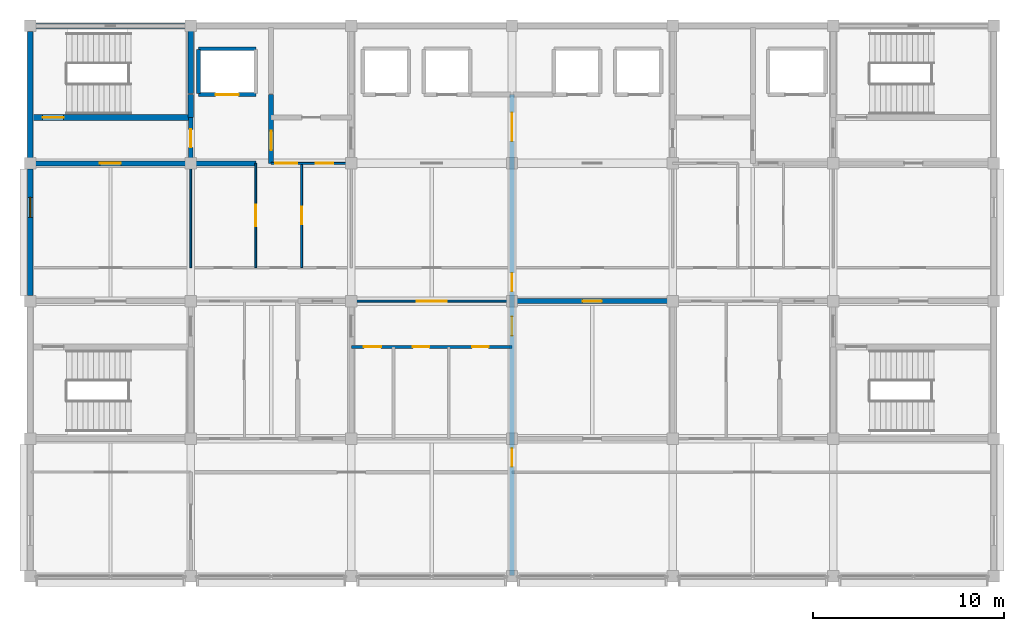
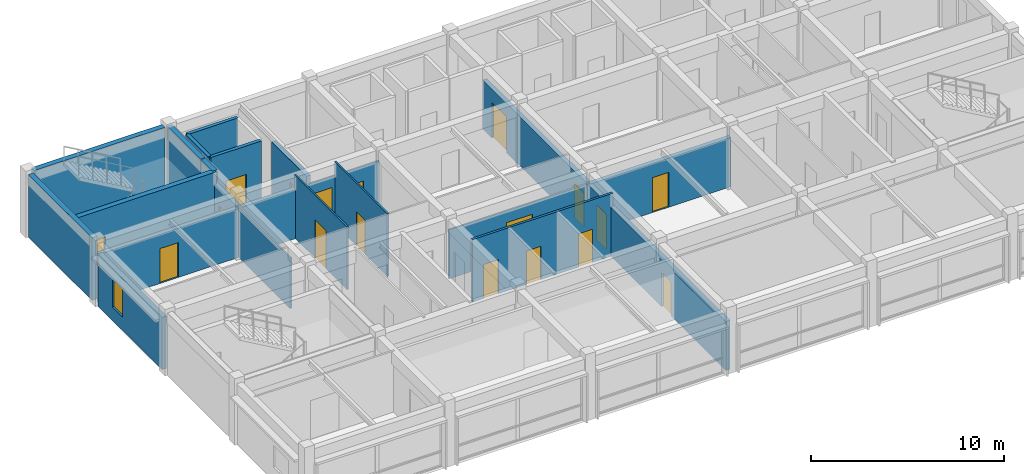
# One storey, part 9 of 13: 20 walls, 18 doors, 1 window, 19 openings.
"""IFC4 building model written with IfcOpenShell, lengths in metres."""

from ifc_helpers import new_model, si_unit, direction, frame, frame_2d, origin, place, context, subcontext, project, spatial, rectangle, extrude, material, layer, layer_set, type_object, element, fill, save


model = new_model("IFC4")

# Units and contexts
model_context = context("Model", 3, precision=1e-05, world=origin(), true_north=direction((0.0, 1.0)))
body_context = subcontext(model_context, "Body", "Model", "MODEL_VIEW")
ifc_project = project(units=[si_unit("LENGTHUNIT", "METRE"), si_unit("AREAUNIT", "SQUARE_METRE"), si_unit("VOLUMEUNIT", "CUBIC_METRE"), si_unit("PLANEANGLEUNIT", "RADIAN"), si_unit("MASSUNIT", "GRAM", prefix="KILO")], contexts=[model_context])

# Site, building, storey
site_placement = place(None, origin())
site = spatial("IfcSite", under=ifc_project, at=site_placement, CompositionType="ELEMENT")
building_placement = place(site_placement, origin())
building = spatial("IfcBuilding", under=site, at=building_placement, Name="Chengyuan Square Courthouse", CompositionType="ELEMENT")
storey_placement = place(building_placement, frame((0.0, 0.0, 64.5)))
storey = spatial("IfcBuildingStorey", under=building, at=storey_placement, Name="L15", CompositionType="ELEMENT", Elevation=64.5)

# Wall, opening, window
ifc_material_1 = material(Name="Concrete C40", Category="concrete")
ifc_layer_1 = layer(ifc_material_1, 0.280029296875)
ifc_layer_set_1 = layer_set([ifc_layer_1], Name="Concrete C40")
wall_type_1 = type_object("IfcWallType", Name="WL-EW4", PredefinedType="STANDARD", material=ifc_layer_set_1)
wall_1_placement = place(storey_placement, frame((58.800048828125, 93.89501953125, 0.0), z_axis=(0.0, 0.0, 1.0), x_axis=(0.0, 1.0, 0.0)))
wall_1 = element("IfcWall", 1, at=wall_1_placement, inside=storey, type_object=wall_type_1, Name="Exterior Wall WL-L15-E524", PredefinedType="STANDARD", context=body_context, shape_type="SweptSolid", body=[
    extrude(rectangle(XDim=6.60986328125, YDim=0.280029296875, at=frame_2d((3.304931640625, 0.0))), origin(), (0.0, 0.0, 1.0), 3.300048828125),
])
opening_1_placement = place(wall_1_placement, frame((4.080078125, 0.0, 0.85009765625)))
opening_1 = element("IfcOpeningElement", 2, at=opening_1_placement, cuts=wall_1, Name="Opening WN-243", PredefinedType="OPENING", context=body_context, shape_type="SweptSolid", body=[
    extrude(rectangle(XDim=1.050048828125, YDim=1.739990234375, at=frame_2d((0.52490234375, 0.8701171875))), frame((0.0, 0.152099609375, 0.0), z_axis=(0.0, -1.0, 0.0), x_axis=(1.0, 0.0, 0.0)), (0.0, 0.0, 1.0), 0.303955078125),
])
ifc_material_2 = material(Name="Thermally Broken Aluminium Triple Low-E Window", Category="aluminium")
window_type = type_object("IfcWindowType", Name="WT-10", PartitioningType="SINGLE_PANEL", PredefinedType="WINDOW", material=ifc_material_2)
window_placement = place(opening_1_placement, origin())
window = element("IfcWindow", 3, at=window_placement, inside=storey, type_object=window_type, Name="Facade Window WN-243", OverallHeight=1.739990234375, OverallWidth=1.050048828125, PartitioningType="SINGLE_PANEL", PredefinedType="WINDOW", context=body_context, shape_type="SweptSolid", body=[
    extrude(rectangle(XDim=1.050048828125, YDim=1.739990234375, at=frame_2d((0.52490234375, 0.8701171875))), frame((0.0, 0.030029296875, 0.0), z_axis=(0.0, -1.0, 0.0), x_axis=(1.0, 0.0, 0.0)), (0.0, 0.0, 1.0), 0.06005859375),
])
fill(opening_1, window)

# Wall, opening, door
ifc_layer_2 = layer(ifc_material_1, 0.25)
ifc_layer_set_2 = layer_set([ifc_layer_2], Name="Concrete C40")
wall_type_2 = type_object("IfcWallType", Name="WL-FW1", PredefinedType="STANDARD", material=ifc_layer_set_2)
wall_2_placement = place(storey_placement, frame((84.0, 93.60009765625, 0.0), z_axis=(0.0, 0.0, 1.0), x_axis=(1.0, 0.0, 0.0)))
wall_2 = element("IfcWall", 4, at=wall_2_placement, inside=storey, type_object=wall_type_2, Name="Interior Wall WL-L15-I4010", PredefinedType="STANDARD", context=body_context, shape_type="SweptSolid", body=[
    extrude(rectangle(XDim=8.39990234375, YDim=0.25, at=frame_2d((4.199951171875, 0.0))), origin(), (0.0, 0.0, 1.0), 3.10009765625),
])
opening_2_placement = place(wall_2_placement, frame((3.699951171875, 0.0, 0.0)))
opening_2 = element("IfcOpeningElement", 5, at=opening_2_placement, cuts=wall_2, Name="Opening DR-3346", PredefinedType="OPENING", context=body_context, shape_type="SweptSolid", body=[
    extrude(rectangle(XDim=1.0, YDim=2.199951171875, at=frame_2d((0.5, 1.10009765625))), frame((0.0, 0.136962890625, 0.0), z_axis=(0.0, -1.0, 0.0), x_axis=(1.0, 0.0, 0.0)), (0.0, 0.0, 1.0), 0.27392578125),
])
ifc_material_3 = material(Name="Steel Q235B Fire Door", Category="steel")
door_type_1 = type_object("IfcDoorType", Name="DT-11", OperationType="NOTDEFINED", PredefinedType="DOOR", material=ifc_material_3)
door_1_placement = place(opening_2_placement, origin())
door_1 = element("IfcDoor", 6, at=door_1_placement, inside=storey, type_object=door_type_1, Name="Interior Door DR-3346", OperationType="SINGLE_SWING_LEFT", OverallHeight=2.199951171875, OverallWidth=1.0, PredefinedType="DOOR", context=body_context, shape_type="SweptSolid", body=[
    extrude(rectangle(XDim=1.0, YDim=2.199951171875, at=frame_2d((0.5, 1.10009765625))), frame((0.0, 0.02490234375, 0.0), z_axis=(0.0, -1.0, 0.0), x_axis=(1.0, 0.0, 0.0)), (0.0, 0.0, 1.0), 0.050048828125),
])
fill(opening_2, door_1)

wall_3_placement = place(storey_placement, frame((58.840087890625, 100.800048828125, 0.0), z_axis=(0.0, 0.0, 1.0), x_axis=(1.0, 0.0, 0.0)))
wall_3 = element("IfcWall", 7, at=wall_3_placement, inside=storey, type_object=wall_type_2, Name="Interior Wall WL-L15-I4014", PredefinedType="STANDARD", context=body_context, shape_type="SweptSolid", body=[
    extrude(rectangle(XDim=11.760009765625, YDim=0.25, at=frame_2d((5.8798828125, 0.0))), origin(), (0.0, 0.0, 1.0), 3.10009765625),
])
opening_3_placement = place(wall_3_placement, frame((3.610107421875, 0.0, 0.0)))
opening_3 = element("IfcOpeningElement", 8, at=opening_3_placement, cuts=wall_3, Name="Opening DR-3306", PredefinedType="OPENING", context=body_context, shape_type="SweptSolid", body=[
    extrude(rectangle(XDim=1.10009765625, YDim=2.199951171875, at=frame_2d((0.550048828125, 1.10009765625))), frame((0.0, 0.136962890625, 0.0), z_axis=(0.0, -1.0, 0.0), x_axis=(1.0, 0.0, 0.0)), (0.0, 0.0, 1.0), 0.27392578125),
])
door_type_2 = type_object("IfcDoorType", Name="DT-10", OperationType="NOTDEFINED", PredefinedType="DOOR", material=ifc_material_3)
door_2_placement = place(opening_3_placement, origin())
door_2 = element("IfcDoor", 9, at=door_2_placement, inside=storey, type_object=door_type_2, Name="Interior Door DR-3306", OperationType="SINGLE_SWING_LEFT", OverallHeight=2.199951171875, OverallWidth=1.10009765625, PredefinedType="DOOR", context=body_context, shape_type="SweptSolid", body=[
    extrude(rectangle(XDim=1.10009765625, YDim=2.199951171875, at=frame_2d((0.550048828125, 1.10009765625))), frame((0.0, 0.02490234375, 0.0), z_axis=(0.0, -1.0, 0.0), x_axis=(1.0, 0.0, 0.0)), (0.0, 0.0, 1.0), 0.050048828125),
])
fill(opening_3, door_2)

wall_4_placement = place(storey_placement, frame((67.199951171875, 100.800048828125, 0.0), z_axis=(0.0, 0.0, 1.0), x_axis=(0.0, 1.0, 0.0)))
wall_4 = element("IfcWall", 10, at=wall_4_placement, inside=storey, type_object=wall_type_2, Name="Interior Wall WL-L15-I4041", PredefinedType="STANDARD", context=body_context, shape_type="SweptSolid", body=[
    extrude(rectangle(XDim=2.39990234375, YDim=0.25, at=frame_2d((1.199951171875, 0.0))), origin(), (0.0, 0.0, 1.0), 3.199951171875),
])
opening_4_placement = place(wall_4_placement, frame((0.8349609375, 0.0, 0.0)))
opening_4 = element("IfcOpeningElement", 11, at=opening_4_placement, cuts=wall_4, Name="Opening DR-3305", PredefinedType="OPENING", context=body_context, shape_type="SweptSolid", body=[
    extrude(rectangle(XDim=0.949951171875, YDim=2.14990234375, at=frame_2d((0.47509765625, 1.074951171875))), frame((0.0, 0.136962890625, 0.0), z_axis=(0.0, -1.0, 0.0), x_axis=(1.0, 0.0, 0.0)), (0.0, 0.0, 1.0), 0.27392578125),
])
door_type_3 = type_object("IfcDoorType", Name="DT-12", OperationType="NOTDEFINED", PredefinedType="DOOR", material=ifc_material_3)
door_3_placement = place(opening_4_placement, origin())
door_3 = element("IfcDoor", 12, at=door_3_placement, inside=storey, type_object=door_type_3, Name="Interior Door DR-3305", OperationType="SINGLE_SWING_RIGHT", OverallHeight=2.14990234375, OverallWidth=0.949951171875, PredefinedType="DOOR", context=body_context, shape_type="SweptSolid", body=[
    extrude(rectangle(XDim=0.949951171875, YDim=2.14990234375, at=frame_2d((0.47509765625, 1.074951171875))), frame((0.0, 0.02490234375, 0.0), z_axis=(0.0, -1.0, 0.0), x_axis=(1.0, 0.0, 0.0)), (0.0, 0.0, 1.0), 0.050048828125),
])
fill(opening_4, door_3)

wall_5_placement = place(storey_placement, frame((71.39990234375, 100.800048828125, 0.0), z_axis=(0.0, 0.0, 1.0), x_axis=(0.0, 1.0, 0.0)))
wall_5 = element("IfcWall", 13, at=wall_5_placement, inside=storey, type_object=wall_type_2, Name="Interior Wall WL-L15-I4048", PredefinedType="STANDARD", context=body_context, shape_type="SweptSolid", body=[
    extrude(rectangle(XDim=3.599853515625, YDim=0.25, at=frame_2d((1.7998046875, 0.0))), origin(), (0.0, 0.0, 1.0), 3.60009765625),
])
opening_5_placement = place(wall_5_placement, frame((0.699951171875, 0.0, 0.0)))
opening_5 = element("IfcOpeningElement", 14, at=opening_5_placement, cuts=wall_5, Name="Opening DR-3313", PredefinedType="OPENING", context=body_context, shape_type="SweptSolid", body=[
    extrude(rectangle(XDim=1.0, YDim=2.199951171875, at=frame_2d((0.5, 1.10009765625))), frame((0.0, 0.136962890625, 0.0), z_axis=(0.0, -1.0, 0.0), x_axis=(1.0, 0.0, 0.0)), (0.0, 0.0, 1.0), 0.27392578125),
])
door_4_placement = place(opening_5_placement, origin())
door_4 = element("IfcDoor", 15, at=door_4_placement, inside=storey, type_object=door_type_1, Name="Interior Door DR-3313", OperationType="SINGLE_SWING_RIGHT", OverallHeight=2.199951171875, OverallWidth=1.0, PredefinedType="DOOR", context=body_context, shape_type="SweptSolid", body=[
    extrude(rectangle(XDim=1.0, YDim=2.199951171875, at=frame_2d((0.5, 1.10009765625))), frame((0.0, 0.02490234375, 0.0), z_axis=(0.0, -1.0, 0.0), x_axis=(1.0, 0.0, 0.0)), (0.0, 0.0, 1.0), 0.050048828125),
])
fill(opening_5, door_4)

# Wall, openings, doors
wall_6_placement = place(storey_placement, frame((84.0, 79.239990234375, 0.0), z_axis=(0.0, 0.0, 1.0), x_axis=(0.0, 1.0, 0.0)))
wall_6 = element("IfcWall", 16, at=wall_6_placement, inside=storey, type_object=wall_type_2, Name="Interior Wall WL-L15-I4062", PredefinedType="STANDARD", context=body_context, shape_type="SweptSolid", body=[
    extrude(rectangle(XDim=25.159912109375, YDim=0.25, at=frame_2d((12.580078125, 0.0))), origin(), (0.0, 0.0, 1.0), 3.10009765625),
])
opening_6_placement = place(wall_6_placement, frame((22.719970703125, 0.0, 0.0)))
opening_6 = element("IfcOpeningElement", 17, at=opening_6_placement, cuts=wall_6, Name="Opening DR-3323", PredefinedType="OPENING", context=body_context, shape_type="SweptSolid", body=[
    extrude(rectangle(XDim=1.5, YDim=2.25, at=frame_2d((0.75, 1.125))), frame((0.0, 0.136962890625, 0.0), z_axis=(0.0, -1.0, 0.0), x_axis=(1.0, 0.0, 0.0)), (0.0, 0.0, 1.0), 0.27392578125),
])
opening_7_placement = place(wall_6_placement, frame((12.550048828125, 0.0, 0.0)))
opening_7 = element("IfcOpeningElement", 18, at=opening_7_placement, cuts=wall_6, Name="Opening DR-3331", PredefinedType="OPENING", context=body_context, shape_type="SweptSolid", body=[
    extrude(rectangle(XDim=1.0, YDim=2.199951171875, at=frame_2d((0.5, 1.10009765625))), frame((0.0, 0.136962890625, 0.0), z_axis=(0.0, -1.0, 0.0), x_axis=(1.0, 0.0, 0.0)), (0.0, 0.0, 1.0), 0.27392578125),
])
opening_8_placement = place(wall_6_placement, frame((14.8701171875, 0.0, 0.0)))
opening_8 = element("IfcOpeningElement", 19, at=opening_8_placement, cuts=wall_6, Name="Opening DR-3332", PredefinedType="OPENING", context=body_context, shape_type="SweptSolid", body=[
    extrude(rectangle(XDim=0.949951171875, YDim=2.14990234375, at=frame_2d((0.47509765625, 1.074951171875))), frame((0.0, 0.136962890625, 0.0), z_axis=(0.0, -1.0, 0.0), x_axis=(1.0, 0.0, 0.0)), (0.0, 0.0, 1.0), 0.27392578125),
])
opening_9_placement = place(wall_6_placement, frame((5.699951171875, 0.0, 0.0)))
opening_9 = element("IfcOpeningElement", 20, at=opening_9_placement, cuts=wall_6, Name="Opening DR-3365", PredefinedType="OPENING", context=body_context, shape_type="SweptSolid", body=[
    extrude(rectangle(XDim=0.949951171875, YDim=2.14990234375, at=frame_2d((0.47509765625, 1.074951171875))), frame((0.0, 0.136962890625, 0.0), z_axis=(0.0, -1.0, 0.0), x_axis=(1.0, 0.0, 0.0)), (0.0, 0.0, 1.0), 0.27392578125),
])
door_5_placement = place(opening_7_placement, origin())
door_5 = element("IfcDoor", 21, at=door_5_placement, inside=storey, type_object=door_type_1, Name="Interior Door DR-3331", OperationType="SINGLE_SWING_RIGHT", OverallHeight=2.199951171875, OverallWidth=1.0, PredefinedType="DOOR", context=body_context, shape_type="SweptSolid", body=[
    extrude(rectangle(XDim=1.0, YDim=2.199951171875, at=frame_2d((0.5, 1.10009765625))), frame((0.0, 0.02490234375, 0.0), z_axis=(0.0, -1.0, 0.0), x_axis=(1.0, 0.0, 0.0)), (0.0, 0.0, 1.0), 0.050048828125),
])
fill(opening_7, door_5)
door_6_placement = place(opening_8_placement, origin())
door_6 = element("IfcDoor", 22, at=door_6_placement, inside=storey, type_object=door_type_3, Name="Interior Door DR-3332", OperationType="SINGLE_SWING_LEFT", OverallHeight=2.14990234375, OverallWidth=0.949951171875, PredefinedType="DOOR", context=body_context, shape_type="SweptSolid", body=[
    extrude(rectangle(XDim=0.949951171875, YDim=2.14990234375, at=frame_2d((0.47509765625, 1.074951171875))), frame((0.0, 0.02490234375, 0.0), z_axis=(0.0, -1.0, 0.0), x_axis=(1.0, 0.0, 0.0)), (0.0, 0.0, 1.0), 0.050048828125),
])
fill(opening_8, door_6)
door_7_placement = place(opening_9_placement, origin())
door_7 = element("IfcDoor", 23, at=door_7_placement, inside=storey, type_object=door_type_3, Name="Interior Door DR-3365", OperationType="SINGLE_SWING_RIGHT", OverallHeight=2.14990234375, OverallWidth=0.949951171875, PredefinedType="DOOR", context=body_context, shape_type="SweptSolid", body=[
    extrude(rectangle(XDim=0.949951171875, YDim=2.14990234375, at=frame_2d((0.47509765625, 1.074951171875))), frame((0.0, 0.02490234375, 0.0), z_axis=(0.0, -1.0, 0.0), x_axis=(1.0, 0.0, 0.0)), (0.0, 0.0, 1.0), 0.050048828125),
])
fill(opening_9, door_7)
ifc_material_4 = material(Name="Steel Q235B Glazed Fire Door", Category="steel")
door_type_4 = type_object("IfcDoorType", Name="DT-19", OperationType="DOUBLE_DOOR_SINGLE_SWING", PredefinedType="DOOR", material=ifc_material_4)
door_8_placement = place(opening_6_placement, frame((1.5, 0.0, 0.0), z_axis=(0.0, 0.0, 1.0), x_axis=(-1.0, 0.0, 0.0)))
door_8 = element("IfcDoor", 24, at=door_8_placement, inside=storey, type_object=door_type_4, Name="Interior Door DR-3323", OperationType="DOUBLE_DOOR_SINGLE_SWING", OverallHeight=2.25, OverallWidth=1.5, PredefinedType="DOOR", context=body_context, shape_type="SweptSolid", body=[
    extrude(rectangle(XDim=1.5, YDim=2.25, at=frame_2d((0.75, 1.125))), frame((0.0, 0.02490234375, 0.0), z_axis=(0.0, -1.0, 0.0), x_axis=(1.0, 0.0, 0.0)), (0.0, 0.0, 1.0), 0.050048828125),
])
fill(opening_6, door_8)

ifc_material_5 = material(Name="Moisture-Resistant Masonry Wet-Room Partition", Category="masonry")
ifc_layer_3 = layer(ifc_material_5, 0.139892578125)
ifc_layer_set_3 = layer_set([ifc_layer_3], Name="Moisture-Resistant Masonry Wet-Room Partition")
wall_type_3 = type_object("IfcWallType", Name="WL-PT4", PredefinedType="STANDARD", material=ifc_layer_set_3)
wall_7_placement = place(storey_placement, frame((75.60009765625, 91.199951171875, 0.0), z_axis=(0.0, 0.0, 1.0), x_axis=(1.0, 0.0, 0.0)))
wall_7 = element("IfcWall", 25, at=wall_7_placement, inside=storey, type_object=wall_type_3, Name="Interior Wall WL-L15-I4004", PredefinedType="STANDARD", context=body_context, shape_type="SweptSolid", body=[
    extrude(rectangle(XDim=8.39990234375, YDim=0.139892578125, at=frame_2d((4.199951171875, 0.0))), origin(), (0.0, 0.0, 1.0), 3.949951171875),
])
opening_10_placement = place(wall_7_placement, frame((0.64990234375, 0.0, 0.0)))
opening_10 = element("IfcOpeningElement", 26, at=opening_10_placement, cuts=wall_7, Name="Opening DR-3326", PredefinedType="OPENING", context=body_context, shape_type="SweptSolid", body=[
    extrude(rectangle(XDim=0.89990234375, YDim=2.14990234375, at=frame_2d((0.449951171875, 1.074951171875))), frame((0.0, 0.08203125, 0.0), z_axis=(0.0, -1.0, 0.0), x_axis=(1.0, 0.0, 0.0)), (0.0, 0.0, 1.0), 0.163818359375),
])
opening_11_placement = place(wall_7_placement, frame((3.219970703125, 0.0, 0.0)))
opening_11 = element("IfcOpeningElement", 27, at=opening_11_placement, cuts=wall_7, Name="Opening DR-3327", PredefinedType="OPENING", context=body_context, shape_type="SweptSolid", body=[
    extrude(rectangle(XDim=0.860107421875, YDim=2.10009765625, at=frame_2d((0.43017578125, 1.050048828125))), frame((0.0, 0.08203125, 0.0), z_axis=(0.0, -1.0, 0.0), x_axis=(1.0, 0.0, 0.0)), (0.0, 0.0, 1.0), 0.163818359375),
])
opening_12_placement = place(wall_7_placement, frame((6.320068359375, 0.0, 0.0)))
opening_12 = element("IfcOpeningElement", 28, at=opening_12_placement, cuts=wall_7, Name="Opening DR-3328", PredefinedType="OPENING", context=body_context, shape_type="SweptSolid", body=[
    extrude(rectangle(XDim=0.860107421875, YDim=2.10009765625, at=frame_2d((0.43017578125, 1.050048828125))), frame((0.0, 0.08203125, 0.0), z_axis=(0.0, -1.0, 0.0), x_axis=(1.0, 0.0, 0.0)), (0.0, 0.0, 1.0), 0.163818359375),
])
ifc_material_6 = material(Name="Acoustic Solid-Core Timber Door", Category="wood")
door_type_5 = type_object("IfcDoorType", Name="DT-27", OperationType="NOTDEFINED", PredefinedType="DOOR", material=ifc_material_6)
door_9_placement = place(opening_10_placement, origin())
door_9 = element("IfcDoor", 29, at=door_9_placement, inside=storey, type_object=door_type_5, Name="Interior Door DR-3326", OperationType="SINGLE_SWING_RIGHT", OverallHeight=2.14990234375, OverallWidth=0.89990234375, PredefinedType="DOOR", context=body_context, shape_type="SweptSolid", body=[
    extrude(rectangle(XDim=0.89990234375, YDim=2.14990234375, at=frame_2d((0.449951171875, 1.074951171875))), frame((0.0, 0.02490234375, 0.0), z_axis=(0.0, -1.0, 0.0), x_axis=(1.0, 0.0, 0.0)), (0.0, 0.0, 1.0), 0.050048828125),
])
fill(opening_10, door_9)
door_type_6 = type_object("IfcDoorType", Name="DT-28", OperationType="NOTDEFINED", PredefinedType="DOOR", material=ifc_material_6)
door_10_placement = place(opening_11_placement, origin())
door_10 = element("IfcDoor", 30, at=door_10_placement, inside=storey, type_object=door_type_6, Name="Interior Door DR-3327", OperationType="SINGLE_SWING_LEFT", OverallHeight=2.10009765625, OverallWidth=0.860107421875, PredefinedType="DOOR", context=body_context, shape_type="SweptSolid", body=[
    extrude(rectangle(XDim=0.860107421875, YDim=2.10009765625, at=frame_2d((0.43017578125, 1.050048828125))), frame((0.0, 0.02490234375, 0.0), z_axis=(0.0, -1.0, 0.0), x_axis=(1.0, 0.0, 0.0)), (0.0, 0.0, 1.0), 0.050048828125),
])
fill(opening_11, door_10)
door_11_placement = place(opening_12_placement, origin())
door_11 = element("IfcDoor", 31, at=door_11_placement, inside=storey, type_object=door_type_6, Name="Interior Door DR-3328", OperationType="SINGLE_SWING_RIGHT", OverallHeight=2.10009765625, OverallWidth=0.860107421875, PredefinedType="DOOR", context=body_context, shape_type="SweptSolid", body=[
    extrude(rectangle(XDim=0.860107421875, YDim=2.10009765625, at=frame_2d((0.43017578125, 1.050048828125))), frame((0.0, 0.02490234375, 0.0), z_axis=(0.0, -1.0, 0.0), x_axis=(1.0, 0.0, 0.0)), (0.0, 0.0, 1.0), 0.050048828125),
])
fill(opening_12, door_11)

# Wall, opening, door
ifc_material_7 = material(Name="Gypsum Plasterboard Acoustic Stud Partition")
ifc_layer_4 = layer(ifc_material_7, 0.10009765625)
ifc_layer_set_4 = layer_set([ifc_layer_4], Name="Gypsum Plasterboard Acoustic Stud Partition")
wall_type_4 = type_object("IfcWallType", Name="WL-PT6", PredefinedType="STANDARD", material=ifc_layer_set_4)
wall_8_placement = place(storey_placement, frame((75.60009765625, 93.60009765625, 0.0), z_axis=(0.0, 0.0, 1.0), x_axis=(1.0, 0.0, 0.0)))
wall_8 = element("IfcWall", 32, at=wall_8_placement, inside=storey, type_object=wall_type_4, Name="Interior Wall WL-L15-I4009", PredefinedType="STANDARD", context=body_context, shape_type="SweptSolid", body=[
    extrude(rectangle(XDim=8.39990234375, YDim=0.10009765625, at=frame_2d((4.199951171875, 0.0))), origin(), (0.0, 0.0, 1.0), 3.10009765625),
])
opening_13_placement = place(wall_8_placement, frame((3.425048828125, 0.0, 0.0)))
opening_13 = element("IfcOpeningElement", 33, at=opening_13_placement, cuts=wall_8, Name="Opening DR-3329", PredefinedType="OPENING", context=body_context, shape_type="SweptSolid", body=[
    extrude(rectangle(XDim=1.550048828125, YDim=2.35009765625, at=frame_2d((0.77490234375, 1.175048828125))), frame((0.0, 0.06201171875, 0.0), z_axis=(0.0, -1.0, 0.0), x_axis=(1.0, 0.0, 0.0)), (0.0, 0.0, 1.0), 0.1240234375),
])
ifc_material_8 = material(Name="Acoustic Larch Veneer Double Door")
door_type_7 = type_object("IfcDoorType", Name="DT-23", OperationType="DOUBLE_DOOR_SINGLE_SWING", PredefinedType="DOOR", material=ifc_material_8)
door_12_placement = place(opening_13_placement, frame((1.550048828125, 0.0, 0.0), z_axis=(0.0, 0.0, 1.0), x_axis=(-1.0, 0.0, 0.0)))
door_12 = element("IfcDoor", 34, at=door_12_placement, inside=storey, type_object=door_type_7, Name="Interior Door DR-3329", OperationType="DOUBLE_DOOR_SINGLE_SWING", OverallHeight=2.35009765625, OverallWidth=1.550048828125, PredefinedType="DOOR", context=body_context, shape_type="SweptSolid", body=[
    extrude(rectangle(XDim=1.550048828125, YDim=2.35009765625, at=frame_2d((0.77490234375, 1.175048828125))), frame((0.0, 0.02490234375, 0.0), z_axis=(0.0, -1.0, 0.0), x_axis=(1.0, 0.0, 0.0)), (0.0, 0.0, 1.0), 0.050048828125),
])
fill(opening_13, door_12)

# Wall, openings, doors
wall_9_placement = place(storey_placement, frame((71.39990234375, 100.800048828125, 0.0), z_axis=(0.0, 0.0, 1.0), x_axis=(1.0, 0.0, 0.0)))
wall_9 = element("IfcWall", 35, at=wall_9_placement, inside=storey, type_object=wall_type_4, Name="Interior Wall WL-L15-I4015", PredefinedType="STANDARD", context=body_context, shape_type="SweptSolid", body=[
    extrude(rectangle(XDim=4.2001953125, YDim=0.10009765625, at=frame_2d((2.10009765625, 0.0))), origin(), (0.0, 0.0, 1.0), 3.10009765625),
])
opening_14_placement = place(wall_9_placement, frame((0.22998046875, 0.0, 0.0)))
opening_14 = element("IfcOpeningElement", 36, at=opening_14_placement, cuts=wall_9, Name="Opening DR-3316", PredefinedType="OPENING", context=body_context, shape_type="SweptSolid", body=[
    extrude(rectangle(XDim=1.139892578125, YDim=2.39990234375, at=frame_2d((0.56982421875, 1.199951171875))), frame((0.0, 0.06201171875, 0.0), z_axis=(0.0, -1.0, 0.0), x_axis=(1.0, 0.0, 0.0)), (0.0, 0.0, 1.0), 0.1240234375),
])
opening_15_placement = place(wall_9_placement, frame((2.340087890625, 0.0, 0.0)))
opening_15 = element("IfcOpeningElement", 37, at=opening_15_placement, cuts=wall_9, Name="Opening DR-3317", PredefinedType="OPENING", context=body_context, shape_type="SweptSolid", body=[
    extrude(rectangle(XDim=0.89990234375, YDim=2.14990234375, at=frame_2d((0.449951171875, 1.074951171875))), frame((0.0, 0.06201171875, 0.0), z_axis=(0.0, -1.0, 0.0), x_axis=(1.0, 0.0, 0.0)), (0.0, 0.0, 1.0), 0.1240234375),
])
door_13_placement = place(opening_15_placement, origin())
door_13 = element("IfcDoor", 38, at=door_13_placement, inside=storey, type_object=door_type_5, Name="Interior Door DR-3317", OperationType="SINGLE_SWING_RIGHT", OverallHeight=2.14990234375, OverallWidth=0.89990234375, PredefinedType="DOOR", context=body_context, shape_type="SweptSolid", body=[
    extrude(rectangle(XDim=0.89990234375, YDim=2.14990234375, at=frame_2d((0.449951171875, 1.074951171875))), frame((0.0, 0.02490234375, 0.0), z_axis=(0.0, -1.0, 0.0), x_axis=(1.0, 0.0, 0.0)), (0.0, 0.0, 1.0), 0.050048828125),
])
fill(opening_15, door_13)
door_type_8 = type_object("IfcDoorType", Name="DT-43", OperationType="NOTDEFINED", PredefinedType="DOOR", material=ifc_material_6)
door_14_placement = place(opening_14_placement, origin())
door_14 = element("IfcDoor", 39, at=door_14_placement, inside=storey, type_object=door_type_8, Name="Interior Door DR-3316", OperationType="SINGLE_SWING_LEFT", OverallHeight=2.39990234375, OverallWidth=1.139892578125, PredefinedType="DOOR", context=body_context, shape_type="SweptSolid", body=[
    extrude(rectangle(XDim=1.139892578125, YDim=2.39990234375, at=frame_2d((0.56982421875, 1.199951171875))), frame((0.0, 0.02490234375, 0.0), z_axis=(0.0, -1.0, 0.0), x_axis=(1.0, 0.0, 0.0)), (0.0, 0.0, 1.0), 0.050048828125),
])
fill(opening_14, door_14)

# Wall
wall_10_placement = place(storey_placement, frame((67.199951171875, 95.35009765625, 0.0), z_axis=(0.0, 0.0, 1.0), x_axis=(0.0, 1.0, 0.0)))
element("IfcWall", 40, at=wall_10_placement, inside=storey, type_object=wall_type_4, Name="Interior Wall WL-L15-I4040", PredefinedType="STANDARD", context=body_context, shape_type="SweptSolid", body=[
    extrude(rectangle(XDim=5.449951171875, YDim=0.10009765625, at=frame_2d((2.72509765625, 0.0))), origin(), (0.0, 0.0, 1.0), 3.199951171875),
])

# Wall, opening, door
wall_11_placement = place(storey_placement, frame((70.60009765625, 95.35009765625, 0.0), z_axis=(0.0, 0.0, 1.0), x_axis=(0.0, 1.0, 0.0)))
wall_11 = element("IfcWall", 41, at=wall_11_placement, inside=storey, type_object=wall_type_4, Name="Interior Wall WL-L15-I4046", PredefinedType="STANDARD", context=body_context, shape_type="SweptSolid", body=[
    extrude(rectangle(XDim=5.449951171875, YDim=0.10009765625, at=frame_2d((2.72509765625, 0.0))), origin(), (0.0, 0.0, 1.0), 3.949951171875),
])
opening_16_placement = place(wall_11_placement, frame((2.155029296875, 0.0, 0.0)))
opening_16 = element("IfcOpeningElement", 42, at=opening_16_placement, cuts=wall_11, Name="Opening DR-3350", PredefinedType="OPENING", context=body_context, shape_type="SweptSolid", body=[
    extrude(rectangle(XDim=1.139892578125, YDim=2.39990234375, at=frame_2d((0.56982421875, 1.199951171875))), frame((0.0, 0.06201171875, 0.0), z_axis=(0.0, -1.0, 0.0), x_axis=(1.0, 0.0, 0.0)), (0.0, 0.0, 1.0), 0.1240234375),
])
door_15_placement = place(opening_16_placement, origin())
door_15 = element("IfcDoor", 43, at=door_15_placement, inside=storey, type_object=door_type_8, Name="Interior Door DR-3350", OperationType="SINGLE_SWING_LEFT", OverallHeight=2.39990234375, OverallWidth=1.139892578125, PredefinedType="DOOR", context=body_context, shape_type="SweptSolid", body=[
    extrude(rectangle(XDim=1.139892578125, YDim=2.39990234375, at=frame_2d((0.56982421875, 1.199951171875))), frame((0.0, 0.02490234375, 0.0), z_axis=(0.0, -1.0, 0.0), x_axis=(1.0, 0.0, 0.0)), (0.0, 0.0, 1.0), 0.050048828125),
])
fill(opening_16, door_15)

wall_12_placement = place(storey_placement, frame((73.0, 95.35009765625, 0.0), z_axis=(0.0, 0.0, 1.0), x_axis=(0.0, 1.0, 0.0)))
wall_12 = element("IfcWall", 44, at=wall_12_placement, inside=storey, type_object=wall_type_4, Name="Interior Wall WL-L15-I4051", PredefinedType="STANDARD", context=body_context, shape_type="SweptSolid", body=[
    extrude(rectangle(XDim=5.449951171875, YDim=0.10009765625, at=frame_2d((2.72509765625, 0.0))), origin(), (0.0, 0.0, 1.0), 3.949951171875),
])
opening_17_placement = place(wall_12_placement, frame((2.27490234375, 0.0, 0.0)))
opening_17 = element("IfcOpeningElement", 45, at=opening_17_placement, cuts=wall_12, Name="Opening DR-3351", PredefinedType="OPENING", context=body_context, shape_type="SweptSolid", body=[
    extrude(rectangle(XDim=0.89990234375, YDim=2.14990234375, at=frame_2d((0.449951171875, 1.074951171875))), frame((0.0, 0.06201171875, 0.0), z_axis=(0.0, -1.0, 0.0), x_axis=(1.0, 0.0, 0.0)), (0.0, 0.0, 1.0), 0.1240234375),
])
door_16_placement = place(opening_17_placement, origin())
door_16 = element("IfcDoor", 46, at=door_16_placement, inside=storey, type_object=door_type_5, Name="Interior Door DR-3351", OperationType="SINGLE_SWING_RIGHT", OverallHeight=2.14990234375, OverallWidth=0.89990234375, PredefinedType="DOOR", context=body_context, shape_type="SweptSolid", body=[
    extrude(rectangle(XDim=0.89990234375, YDim=2.14990234375, at=frame_2d((0.449951171875, 1.074951171875))), frame((0.0, 0.02490234375, 0.0), z_axis=(0.0, -1.0, 0.0), x_axis=(1.0, 0.0, 0.0)), (0.0, 0.0, 1.0), 0.050048828125),
])
fill(opening_17, door_16)

ifc_material_9 = material(Name="Reinforced Masonry Shaft Enclosure", Category="masonry")
ifc_layer_5 = layer(ifc_material_9, 0.199951171875)
ifc_layer_set_5 = layer_set([ifc_layer_5], Name="Reinforced Masonry Shaft Enclosure")
wall_type_5 = type_object("IfcWallType", Name="WL-SH1", PredefinedType="STANDARD", material=ifc_layer_set_5)
wall_13_placement = place(storey_placement, frame((67.60009765625, 104.39990234375, 0.0), z_axis=(0.0, 0.0, 1.0), x_axis=(1.0, 0.0, 0.0)))
wall_13 = element("IfcWall", 47, at=wall_13_placement, inside=storey, type_object=wall_type_5, Name="Interior Wall WL-L15-I4023", PredefinedType="STANDARD", context=body_context, shape_type="SweptSolid", body=[
    extrude(rectangle(XDim=3.0, YDim=0.199951171875, at=frame_2d((1.5, 0.0))), origin(), (0.0, 0.0, 1.0), 3.949951171875),
])
opening_18_placement = place(wall_13_placement, frame((0.89990234375, 0.0, 0.0)))
opening_18 = element("IfcOpeningElement", 48, at=opening_18_placement, cuts=wall_13, Name="Opening LD-205", PredefinedType="OPENING", context=body_context, shape_type="SweptSolid", body=[
    extrude(rectangle(XDim=1.199951171875, YDim=2.14990234375, at=frame_2d((0.60009765625, 1.074951171875))), frame((0.0, 0.112060546875, 0.0), z_axis=(0.0, -1.0, 0.0), x_axis=(1.0, 0.0, 0.0)), (0.0, 0.0, 1.0), 0.223876953125),
])
ifc_material_10 = material(Name="Stainless Steel S30408 Lift Landing Door", Category="steel")
door_type_9 = type_object("IfcDoorType", Name="DT-05", OperationType="DOUBLE_DOOR_SLIDING", PredefinedType="DOOR", material=ifc_material_10)
door_17_placement = place(opening_18_placement, origin())
door_17 = element("IfcDoor", 49, at=door_17_placement, inside=storey, type_object=door_type_9, Name="Lift Landing Door LF-F1 L15", OperationType="DOUBLE_DOOR_SLIDING", OverallHeight=2.14990234375, OverallWidth=1.199951171875, PredefinedType="DOOR", context=body_context, shape_type="SweptSolid", body=[
    extrude(rectangle(XDim=1.199951171875, YDim=2.14990234375, at=frame_2d((0.60009765625, 1.074951171875))), frame((0.0, 0.02490234375, 0.0), z_axis=(0.0, -1.0, 0.0), x_axis=(1.0, 0.0, 0.0)), (0.0, 0.0, 1.0), 0.050048828125),
])
fill(opening_18, door_17)

# Walls
wall_14_placement = place(storey_placement, frame((67.60009765625, 106.800048828125, 0.0), z_axis=(0.0, 0.0, 1.0), x_axis=(1.0, 0.0, 0.0)))
element("IfcWall", 50, at=wall_14_placement, inside=storey, type_object=wall_type_5, Name="Interior Wall WL-L15-I4031", PredefinedType="STANDARD", context=body_context, shape_type="SweptSolid", body=[
    extrude(rectangle(XDim=3.0, YDim=0.199951171875, at=frame_2d((1.5, 0.0))), origin(), (0.0, 0.0, 1.0), 3.949951171875),
])
wall_15_placement = place(storey_placement, frame((67.60009765625, 104.449951171875, 0.0), z_axis=(0.0, 0.0, 1.0), x_axis=(0.0, 1.0, 0.0)))
element("IfcWall", 51, at=wall_15_placement, inside=storey, type_object=wall_type_5, Name="Interior Wall WL-L15-I4044", PredefinedType="STANDARD", context=body_context, shape_type="SweptSolid", body=[
    extrude(rectangle(XDim=2.300048828125, YDim=0.199951171875, at=frame_2d((1.14990234375, 0.0))), origin(), (0.0, 0.0, 1.0), 3.949951171875),
])
ifc_layer_6 = layer(ifc_material_1, 0.300048828125)
ifc_layer_set_6 = layer_set([ifc_layer_6], Name="Concrete C40")
wall_type_6 = type_object("IfcWallType", Name="WL-SW2", PredefinedType="SHEAR", material=ifc_layer_set_6)
wall_16_placement = place(storey_placement, frame((59.094970703125, 108.0, 0.0), z_axis=(0.0, 0.0, 1.0), x_axis=(1.0, 0.0, 0.0)))
element("IfcWall", 52, at=wall_16_placement, inside=storey, type_object=wall_type_6, Name="Exterior Wall WL-L15-E525", PredefinedType="SHEAR", context=body_context, shape_type="SweptSolid", body=[
    extrude(rectangle(XDim=7.81005859375, YDim=0.300048828125, at=frame_2d((3.905029296875, 0.0))), origin(), (0.0, 0.0, 1.0), 3.949951171875),
])
wall_17_placement = place(storey_placement, frame((58.800048828125, 101.094970703125, 0.0), z_axis=(0.0, 0.0, 1.0), x_axis=(0.0, 1.0, 0.0)))
element("IfcWall", 53, at=wall_17_placement, inside=storey, type_object=wall_type_6, Name="Exterior Wall WL-L15-E526", PredefinedType="SHEAR", context=body_context, shape_type="SweptSolid", body=[
    extrude(rectangle(XDim=6.610107421875, YDim=0.300048828125, at=frame_2d((3.30517578125, 0.0))), origin(), (0.0, 0.0, 1.0), 3.949951171875),
])

# Wall, opening, door
wall_18_placement = place(storey_placement, frame((58.840087890625, 103.199951171875, 0.0), z_axis=(0.0, 0.0, 1.0), x_axis=(1.0, 0.0, 0.0)))
wall_18 = element("IfcWall", 54, at=wall_18_placement, inside=storey, type_object=wall_type_6, Name="Interior Wall WL-L15-I4019", PredefinedType="SHEAR", context=body_context, shape_type="SweptSolid", body=[
    extrude(rectangle(XDim=8.35986328125, YDim=0.300048828125, at=frame_2d((4.179931640625, 0.0))), origin(), (0.0, 0.0, 1.0), 3.949951171875),
])
opening_19_placement = place(wall_18_placement, frame((0.610107421875, 0.0, 0.0)))
opening_19 = element("IfcOpeningElement", 55, at=opening_19_placement, cuts=wall_18, Name="Opening DR-3301", PredefinedType="OPENING", context=body_context, shape_type="SweptSolid", body=[
    extrude(rectangle(XDim=1.10009765625, YDim=2.199951171875, at=frame_2d((0.550048828125, 1.10009765625))), frame((0.0, 0.162109375, 0.0), z_axis=(0.0, -1.0, 0.0), x_axis=(1.0, 0.0, 0.0)), (0.0, 0.0, 1.0), 0.323974609375),
])
door_18_placement = place(opening_19_placement, origin())
door_18 = element("IfcDoor", 56, at=door_18_placement, inside=storey, type_object=door_type_2, Name="Smoke-Proof Stairwell Fire Door ST-1 DR-3301", OperationType="SINGLE_SWING_RIGHT", OverallHeight=2.199951171875, OverallWidth=1.10009765625, PredefinedType="DOOR", context=body_context, shape_type="SweptSolid", body=[
    extrude(rectangle(XDim=1.10009765625, YDim=2.199951171875, at=frame_2d((0.550048828125, 1.10009765625))), frame((0.0, 0.02490234375, 0.0), z_axis=(0.0, -1.0, 0.0), x_axis=(1.0, 0.0, 0.0)), (0.0, 0.0, 1.0), 0.050048828125),
])
fill(opening_19, door_18)

# Walls
wall_19_placement = place(storey_placement, frame((67.199951171875, 103.199951171875, 0.0), z_axis=(0.0, 0.0, 1.0), x_axis=(0.0, 1.0, 0.0)))
element("IfcWall", 57, at=wall_19_placement, inside=storey, type_object=wall_type_6, Name="Interior Wall WL-L15-I4042", PredefinedType="SHEAR", context=body_context, shape_type="SweptSolid", body=[
    extrude(rectangle(XDim=1.199951171875, YDim=0.300048828125, at=frame_2d((0.60009765625, 0.0))), origin(), (0.0, 0.0, 1.0), 3.949951171875),
])
wall_20_placement = place(storey_placement, frame((67.199951171875, 104.449951171875, 0.0), z_axis=(0.0, 0.0, 1.0), x_axis=(0.0, 1.0, 0.0)))
element("IfcWall", 58, at=wall_20_placement, inside=storey, type_object=wall_type_6, Name="Interior Wall WL-L15-I4043", PredefinedType="SHEAR", context=body_context, shape_type="SweptSolid", body=[
    extrude(rectangle(XDim=3.4599609375, YDim=0.300048828125, at=frame_2d((1.72998046875, 0.0))), origin(), (0.0, 0.0, 1.0), 3.949951171875),
])

save(model, "model.ifc")
